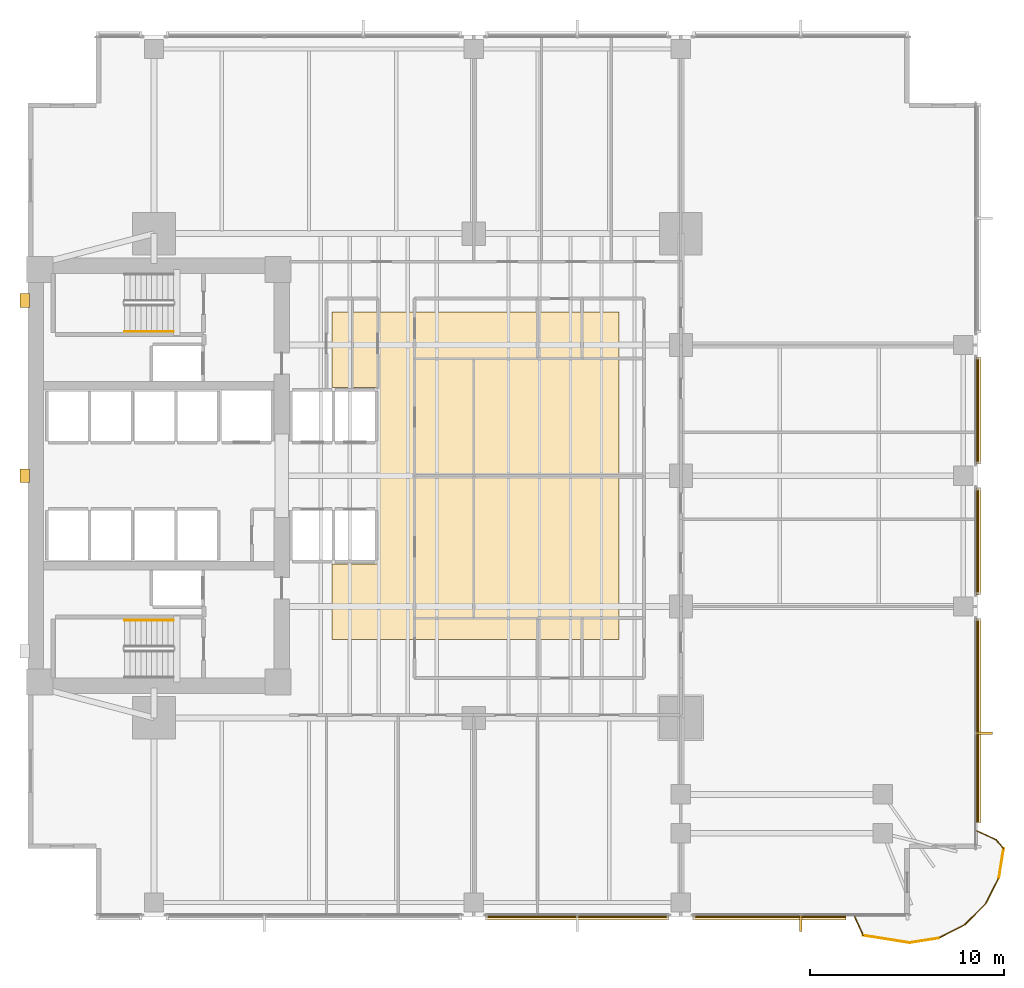
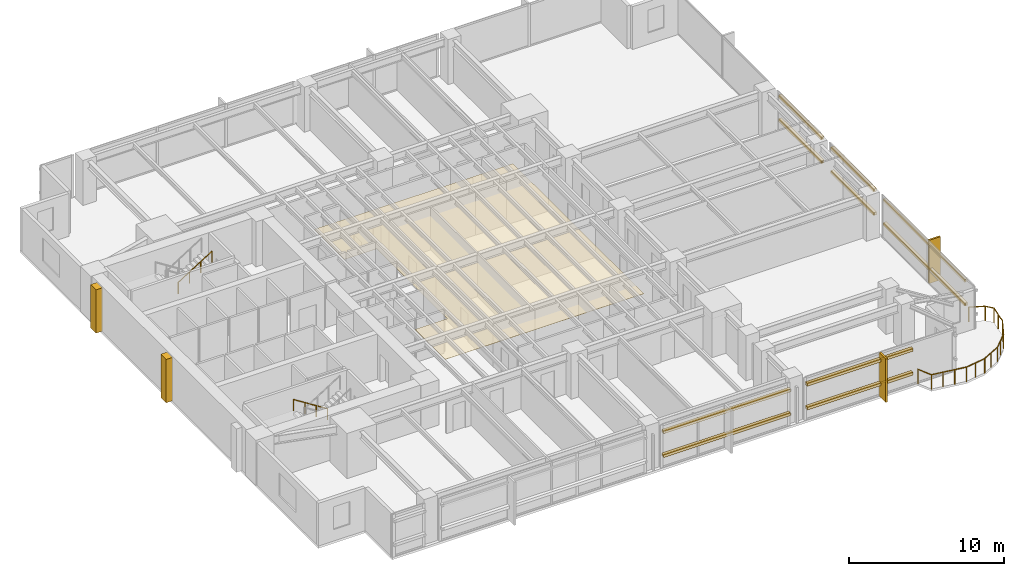
# One storey, part 13 of 15: 15 coverings, 11 railings, 10 shading devices.
"""IFC4 building model written with IfcOpenShell, lengths in metres."""

from ifc_helpers import new_model, si_unit, direction, frame, origin, origin_2d, place, context, subcontext, project, spatial, polyline, rectangle, circle, outline, extrude, material, layer, layer_set, material_profile, profile_set, type_object, element, save


model = new_model("IFC4")

# Units and contexts
model_context = context("Model", 3, precision=1e-05, world=origin(), true_north=direction((0.0, 1.0)))
body_context = subcontext(model_context, "Body", "Model", "MODEL_VIEW")
ifc_project = project(units=[si_unit("LENGTHUNIT", "METRE"), si_unit("AREAUNIT", "SQUARE_METRE"), si_unit("VOLUMEUNIT", "CUBIC_METRE"), si_unit("PLANEANGLEUNIT", "RADIAN"), si_unit("MASSUNIT", "GRAM", prefix="KILO")], contexts=[model_context])

# Site, building, storey
site_placement = place(None, origin())
site = spatial("IfcSite", under=ifc_project, at=site_placement, CompositionType="ELEMENT")
building_placement = place(site_placement, origin())
building = spatial("IfcBuilding", under=site, at=building_placement, Name="Kinhvarn Gate Tower", CompositionType="ELEMENT")
storey_placement = place(building_placement, frame((0.0, 0.0, 78.85009765625)))
storey = spatial("IfcBuildingStorey", under=building, at=storey_placement, Name="L20", CompositionType="ELEMENT", Elevation=78.85009765625)

# Coverings
ifc_material_1 = material(Name="Fired architectural terracotta", Category="masonry")
ifc_layer_1 = layer(ifc_material_1, 0.239990234375)
ifc_layer_set_1 = layer_set([ifc_layer_1], Name="Fired architectural terracotta")
covering_type_1 = type_object("IfcCoveringType", Name="COV-BAG-220", PredefinedType="CLADDING", material=ifc_layer_set_1)
for number, where, name in (
    (1, (0.0, 0.0, 0.93994140625), "Terracotta Horizontal Sunscreen Band TBG-220 (L20)"),
    (2, (0.0, 0.0, 2.809814453125), "Terracotta Horizontal Sunscreen Band TBG-220 (L20)"),
):
    element("IfcCovering", number, at=place(storey_placement, frame(where)), inside=storey, type_object=covering_type_1, Name=name, PredefinedType="CLADDING", context=body_context, shape_type="SweptSolid", body=[
        extrude(outline(polyline([(28.1201171875, 2.56005859375), (37.580078125, 2.56005859375), (37.580078125, 2.320068359375), (28.1201171875, 2.320068359375), (28.1201171875, 2.56005859375)])), origin(), (0.0, 0.0, 1.0), 0.219970703125),
    ])
for number, where, name in (
    (3, (0.0, 0.0, 0.93994140625), "Terracotta Horizontal Sunscreen Band TBG-220 (L20)"),
    (4, (0.0, 0.0, 2.809814453125), "Terracotta Horizontal Sunscreen Band TBG-220 (L20)"),
):
    element("IfcCovering", number, at=place(storey_placement, frame(where)), inside=storey, type_object=covering_type_1, Name=name, PredefinedType="CLADDING", context=body_context, shape_type="SweptSolid", body=[
        extrude(outline(polyline([(38.820068359375, 2.56005859375), (46.712890625, 2.56005859375), (46.712890625, 2.320068359375), (38.820068359375, 2.320068359375), (38.820068359375, 2.56005859375)])), origin(), (0.0, 0.0, 1.0), 0.219970703125),
    ])
for number, where, name in (
    (5, (0.0, 0.0, 0.93994140625), "Terracotta Horizontal Sunscreen Band TBG-220 (L20)"),
    (6, (0.0, 0.0, 2.809814453125), "Terracotta Horizontal Sunscreen Band TBG-220 (L20)"),
):
    element("IfcCovering", number, at=place(storey_placement, frame(where)), inside=storey, type_object=covering_type_1, Name=name, PredefinedType="CLADDING", context=body_context, shape_type="SweptSolid", body=[
        extrude(outline(polyline([(53.43994140625, 7.361083984375), (53.43994140625, 17.8798828125), (53.679931640625, 17.8798828125), (53.679931640625, 7.361083984375), (53.43994140625, 7.361083984375)])), origin(), (0.0, 0.0, 1.0), 0.219970703125),
    ])
for number, where, name in (
    (7, (0.0, 0.0, 0.93994140625), "Terracotta Horizontal Sunscreen Band TBG-220 (L20)"),
    (8, (0.0, 0.0, 2.809814453125), "Terracotta Horizontal Sunscreen Band TBG-220 (L20)"),
):
    element("IfcCovering", number, at=place(storey_placement, frame(where)), inside=storey, type_object=covering_type_1, Name=name, PredefinedType="CLADDING", context=body_context, shape_type="SweptSolid", body=[
        extrude(outline(polyline([(53.43994140625, 19.1201171875), (53.43994140625, 24.6298828125), (53.679931640625, 24.6298828125), (53.679931640625, 19.1201171875), (53.43994140625, 19.1201171875)])), origin(), (0.0, 0.0, 1.0), 0.219970703125),
    ])
for number, where, name in (
    (9, (0.0, 0.0, 0.93994140625), "Terracotta Horizontal Sunscreen Band TBG-220 (L20)"),
    (10, (0.0, 0.0, 2.809814453125), "Terracotta Horizontal Sunscreen Band TBG-220 (L20)"),
):
    element("IfcCovering", number, at=place(storey_placement, frame(where)), inside=storey, type_object=covering_type_1, Name=name, PredefinedType="CLADDING", context=body_context, shape_type="SweptSolid", body=[
        extrude(outline(polyline([(53.43994140625, 25.8701171875), (53.43994140625, 31.3798828125), (53.679931640625, 31.3798828125), (53.679931640625, 25.8701171875), (53.43994140625, 25.8701171875)])), origin(), (0.0, 0.0, 1.0), 0.219970703125),
    ])
ifc_material_2 = material(Name="Mineral-fibre acoustic ceiling tile")
ifc_layer_2 = layer(ifc_material_2, 0.02001953125)
ifc_layer_set_2 = layer_set([ifc_layer_2], Name="Mineral-fibre acoustic ceiling tile")
covering_type_2 = type_object("IfcCoveringType", Name="COV-CEIL-20", PredefinedType="CEILING", material=ifc_layer_set_2)
covering_1_placement = place(storey_placement, frame((0.0, 0.0, 2.64990234375)))
element("IfcCovering", 11, at=covering_1_placement, inside=storey, type_object=covering_type_2, Name="Suspended Acoustic Ceiling Tile (L20-1)", PredefinedType="CEILING", context=body_context, shape_type="SweptSolid", body=[
    extrude(outline(polyline([(35.0, 33.699951171875), (35.0, 16.800048828125), (20.199951171875, 16.800048828125), (20.199951171875, 20.699951171875), (22.60009765625, 20.699951171875), (22.60009765625, 29.800048828125), (20.199951171875, 29.800048828125), (20.199951171875, 33.699951171875), (35.0, 33.699951171875)])), origin(), (0.0, 0.0, 1.0), 0.02001953125),
])
ifc_layer_3 = layer(ifc_material_1, 0.139892578125)
ifc_layer_set_3 = layer_set([ifc_layer_3], Name="Fired architectural terracotta")
covering_type_3 = type_object("IfcCoveringType", Name="COV-FIN-850", PredefinedType="CLADDING", material=ifc_layer_set_3)
covering_2_placement = place(storey_placement, frame((0.0, 0.0, -0.02001953125)))
element("IfcCovering", 12, at=covering_2_placement, inside=storey, type_object=covering_type_3, Name="Vertical Terracotta Expressive Fin TFN-850 (L20)", PredefinedType="CLADDING", context=body_context, shape_type="SweptSolid", body=[
    extrude(outline(polyline([(44.320068359375, 2.570068359375), (44.4599609375, 2.570068359375), (44.4599609375, 1.719970703125), (44.320068359375, 1.719970703125), (44.320068359375, 2.570068359375)])), origin(), (0.0, 0.0, 1.0), 3.409912109375),
])
covering_3_placement = place(storey_placement, frame((0.0, 0.0, -0.02001953125)))
element("IfcCovering", 13, at=covering_3_placement, inside=storey, type_object=covering_type_3, Name="Vertical Terracotta Expressive Fin TFN-850 (L20)", PredefinedType="CLADDING", context=body_context, shape_type="SweptSolid", body=[
    extrude(outline(polyline([(53.429931640625, 11.889892578125), (53.429931640625, 12.030029296875), (54.280029296875, 12.030029296875), (54.280029296875, 11.889892578125), (53.429931640625, 11.889892578125)])), origin(), (0.0, 0.0, 1.0), 3.409912109375),
])
ifc_material_3 = material(Name="Precast white architectural concrete C40/50", Category="concrete")
ifc_layer_4 = layer(ifc_material_3, 0.47998046875)
ifc_layer_set_4 = layer_set([ifc_layer_4], Name="Precast white architectural concrete C40/50")
covering_type_4 = type_object("IfcCoveringType", Name="COV-RIB-450", PredefinedType="CLADDING", material=ifc_layer_set_4)
covering_4_placement = place(storey_placement, frame((0.0, 0.0, -0.02001953125)))
element("IfcCovering", 14, at=covering_4_placement, inside=storey, type_object=covering_type_4, Name="West Core Sculptural Concrete Relief Rib CRB-450 (L20)", PredefinedType="CLADDING", context=body_context, shape_type="SweptSolid", body=[
    extrude(outline(polyline([(4.080078125, 24.89990234375), (4.56005859375, 24.89990234375), (4.56005859375, 25.60009765625), (4.080078125, 25.60009765625), (4.080078125, 24.89990234375)])), origin(), (0.0, 0.0, 1.0), 3.409912109375),
])
covering_5_placement = place(storey_placement, frame((0.0, 0.0, -0.02001953125)))
element("IfcCovering", 15, at=covering_5_placement, inside=storey, type_object=covering_type_4, Name="West Core Sculptural Concrete Relief Rib CRB-450 (L20)", PredefinedType="CLADDING", context=body_context, shape_type="SweptSolid", body=[
    extrude(outline(polyline([(4.080078125, 33.949951171875), (4.56005859375, 33.949951171875), (4.56005859375, 34.64990234375), (4.080078125, 34.64990234375), (4.080078125, 33.949951171875)])), origin(), (0.0, 0.0, 1.0), 3.409912109375),
])

# Railings
ifc_material_4 = material(Name="Clear low-e double glazing", Category="glass")
railing_type_1 = type_object("IfcRailingType", Name="RL-BAL-1150", PredefinedType="BALUSTRADE", material=ifc_material_4)
railing_1_placement = place(storey_placement, frame((47.1630859375, 2.5, 0.0)))
element("IfcRailing", 16, at=railing_1_placement, inside=storey, type_object=railing_type_1, Name="S-Carve Balcony Guardrail Seg 1 (L20)", PredefinedType="BALUSTRADE", context=body_context, shape_type="SweptSolid", body=[
    extrude(circle(Radius=0.02392578125, at=origin_2d()), frame((0.0, 0.0, 1.1259765625), z_axis=(0.418554051126, -0.908191888472, 0.0), x_axis=(0.908191888472, 0.418554051126, 0.0)), (0.0, 0.0, 1.0), 1.074951171875),
    extrude(circle(Radius=0.02099609375, at=origin_2d()), origin(), (0.0, 0.0, 1.0), 1.101806640625),
    extrude(circle(Radius=0.02099609375, at=origin_2d()), frame((0.449951171875, -0.976318359375, 0.0)), (0.0, 0.0, 1.0), 1.101806640625),
])
railing_2_placement = place(storey_placement, frame((47.613037109375, 1.523681640625, 0.0)))
element("IfcRailing", 17, at=railing_2_placement, inside=storey, type_object=railing_type_1, Name="S-Carve Balcony Guardrail Seg 2 (L20)", PredefinedType="BALUSTRADE", context=body_context, shape_type="SweptSolid", body=[
    extrude(circle(Radius=0.02392578125, at=origin_2d()), frame((0.0, 0.0, 1.1259765625), z_axis=(0.987587073428, -0.15707250682, 0.0), x_axis=(0.15707250682, 0.987587073428, 0.0)), (0.0, 0.0, 1.0), 2.4169921875),
    extrude(circle(Radius=0.02099609375, at=origin_2d()), origin(), (0.0, 0.0, 1.0), 1.101806640625),
    extrude(circle(Radius=0.02099609375, at=origin_2d()), frame((0.795654296875, -0.12646484375, 0.0)), (0.0, 0.0, 1.0), 1.101806640625),
    extrude(circle(Radius=0.02099609375, at=origin_2d()), frame((1.59130859375, -0.253173828125, 0.0)), (0.0, 0.0, 1.0), 1.101806640625),
    extrude(circle(Radius=0.02099609375, at=origin_2d()), frame((2.386962890625, -0.379638671875, 0.0)), (0.0, 0.0, 1.0), 1.101806640625),
])
railing_3_placement = place(storey_placement, frame((50.0, 1.14404296875, 0.0)))
element("IfcRailing", 18, at=railing_3_placement, inside=storey, type_object=railing_type_1, Name="S-Carve Balcony Guardrail Seg 3 (L20)", PredefinedType="BALUSTRADE", context=body_context, shape_type="SweptSolid", body=[
    extrude(circle(Radius=0.02392578125, at=origin_2d()), frame((0.0, 0.0, 1.1259765625), z_axis=(0.987699034501, 0.15636693143, 0.0), x_axis=(-0.15636693143, 0.987699034501, 0.0)), (0.0, 0.0, 1.0), 1.519287109375),
    extrude(circle(Radius=0.02099609375, at=origin_2d()), origin(), (0.0, 0.0, 1.0), 1.101806640625),
    extrude(circle(Radius=0.02099609375, at=origin_2d()), frame((0.750244140625, 0.11865234375, 0.0)), (0.0, 0.0, 1.0), 1.101806640625),
    extrude(circle(Radius=0.02099609375, at=origin_2d()), frame((1.50048828125, 0.237548828125, 0.0)), (0.0, 0.0, 1.0), 1.101806640625),
])
railing_4_placement = place(storey_placement, frame((51.50048828125, 1.381591796875, 0.0)))
element("IfcRailing", 19, at=railing_4_placement, inside=storey, type_object=railing_type_1, Name="S-Carve Balcony Guardrail Seg 4 (L20)", PredefinedType="BALUSTRADE", context=body_context, shape_type="SweptSolid", body=[
    extrude(circle(Radius=0.02392578125, at=origin_2d()), frame((0.0, 0.0, 1.1259765625), z_axis=(0.891027233573, 0.453949852992, 0.0), x_axis=(-0.453949852992, 0.891027233573, 0.0)), (0.0, 0.0, 1.0), 1.519287109375),
    extrude(circle(Radius=0.02099609375, at=origin_2d()), origin(), (0.0, 0.0, 1.0), 1.101806640625),
    extrude(circle(Radius=0.02099609375, at=origin_2d()), frame((0.6767578125, 0.3447265625, 0.0)), (0.0, 0.0, 1.0), 1.101806640625),
    extrude(circle(Radius=0.02099609375, at=origin_2d()), frame((1.353759765625, 0.689697265625, 0.0)), (0.0, 0.0, 1.0), 1.101806640625),
])
railing_5_placement = place(storey_placement, frame((52.854248046875, 2.0712890625, 0.0)))
element("IfcRailing", 20, at=railing_5_placement, inside=storey, type_object=railing_type_1, Name="S-Carve Balcony Guardrail Seg 5 (L20)", PredefinedType="BALUSTRADE", context=body_context, shape_type="SweptSolid", body=[
    extrude(circle(Radius=0.02392578125, at=origin_2d()), frame((0.0, 0.0, 1.1259765625), z_axis=(0.707106781187, 0.707106781187, 0.0), x_axis=(-0.707106781187, 0.707106781187, 0.0)), (0.0, 0.0, 1.0), 1.51953125),
    extrude(circle(Radius=0.02099609375, at=origin_2d()), origin(), (0.0, 0.0, 1.0), 1.101806640625),
    extrude(circle(Radius=0.02099609375, at=origin_2d()), frame((0.537109375, 0.537109375, 0.0)), (0.0, 0.0, 1.0), 1.101806640625),
    extrude(circle(Radius=0.02099609375, at=origin_2d()), frame((1.074462890625, 1.074462890625, 0.0)), (0.0, 0.0, 1.0), 1.101806640625),
])
railing_6_placement = place(storey_placement, frame((53.9287109375, 3.145751953125, 0.0)))
element("IfcRailing", 21, at=railing_6_placement, inside=storey, type_object=railing_type_1, Name="S-Carve Balcony Guardrail Seg 6 (L20)", PredefinedType="BALUSTRADE", context=body_context, shape_type="SweptSolid", body=[
    extrude(circle(Radius=0.02392578125, at=origin_2d()), frame((0.0, 0.0, 1.1259765625), z_axis=(0.453949852992, 0.891027233573, 0.0), x_axis=(-0.891027233573, 0.453949852992, 0.0)), (0.0, 0.0, 1.0), 1.519287109375),
    extrude(circle(Radius=0.02099609375, at=origin_2d()), origin(), (0.0, 0.0, 1.0), 1.101806640625),
    extrude(circle(Radius=0.02099609375, at=origin_2d()), frame((0.3447265625, 0.6767578125, 0.0)), (0.0, 0.0, 1.0), 1.101806640625),
    extrude(circle(Radius=0.02099609375, at=origin_2d()), frame((0.689697265625, 1.353759765625, 0.0)), (0.0, 0.0, 1.0), 1.101806640625),
])
railing_7_placement = place(storey_placement, frame((54.618408203125, 4.49951171875, 0.0)))
element("IfcRailing", 22, at=railing_7_placement, inside=storey, type_object=railing_type_1, Name="S-Carve Balcony Guardrail Seg 7 (L20)", PredefinedType="BALUSTRADE", context=body_context, shape_type="SweptSolid", body=[
    extrude(circle(Radius=0.02392578125, at=origin_2d()), frame((0.0, 0.0, 1.1259765625), z_axis=(0.15636693143, 0.987699034501, 0.0), x_axis=(-0.987699034501, 0.15636693143, 0.0)), (0.0, 0.0, 1.0), 1.519287109375),
    extrude(circle(Radius=0.02099609375, at=origin_2d()), origin(), (0.0, 0.0, 1.0), 1.101806640625),
    extrude(circle(Radius=0.02099609375, at=origin_2d()), frame((0.11865234375, 0.750244140625, 0.0)), (0.0, 0.0, 1.0), 1.101806640625),
    extrude(circle(Radius=0.02099609375, at=origin_2d()), frame((0.237548828125, 1.50048828125, 0.0)), (0.0, 0.0, 1.0), 1.101806640625),
])
railing_8_placement = place(storey_placement, frame((54.85595703125, 6.0, 0.0)))
element("IfcRailing", 23, at=railing_8_placement, inside=storey, type_object=railing_type_1, Name="S-Carve Balcony Guardrail Seg 8 (L20)", PredefinedType="BALUSTRADE", context=body_context, shape_type="SweptSolid", body=[
    extrude(circle(Radius=0.02392578125, at=origin_2d()), frame((0.0, 0.0, 1.1259765625), z_axis=(-0.635750243571, 0.771894829494, 0.0), x_axis=(-0.771894829494, -0.635750243571, 0.0)), (0.0, 0.0, 1.0), 0.59716796875),
    extrude(circle(Radius=0.02099609375, at=origin_2d()), origin(), (0.0, 0.0, 1.0), 1.101806640625),
    extrude(circle(Radius=0.02099609375, at=origin_2d()), frame((-0.379638671875, 0.4609375, 0.0)), (0.0, 0.0, 1.0), 1.101806640625),
])
railing_9_placement = place(storey_placement, frame((54.476318359375, 6.4609375, 0.0)))
element("IfcRailing", 24, at=railing_9_placement, inside=storey, type_object=railing_type_1, Name="S-Carve Balcony Guardrail Seg 9 (L20)", PredefinedType="BALUSTRADE", context=body_context, shape_type="SweptSolid", body=[
    extrude(circle(Radius=0.02392578125, at=origin_2d()), frame((0.0, 0.0, 1.1259765625), z_axis=(-0.908191888472, 0.418554051126, 0.0), x_axis=(-0.418554051126, -0.908191888472, 0.0)), (0.0, 0.0, 1.0), 1.074951171875),
    extrude(circle(Radius=0.02099609375, at=origin_2d()), origin(), (0.0, 0.0, 1.0), 1.101806640625),
    extrude(circle(Radius=0.02099609375, at=origin_2d()), frame((-0.976318359375, 0.449951171875, 0.0)), (0.0, 0.0, 1.0), 1.101806640625),
])
ifc_material_5 = material(Name="Steel S355", Category="steel")
railing_type_2 = type_object("IfcRailingType", Name="RL-ST-HND", PredefinedType="HANDRAIL", material=ifc_material_5)
railing_10_placement = place(storey_placement, frame((12.0, 17.800048828125, 0.177490234375)))
element("IfcRailing", 25, at=railing_10_placement, inside=storey, type_object=railing_type_2, Name="L20 ST1 stair handrail 1", PredefinedType="HANDRAIL", context=body_context, shape_type="SweptSolid", body=[
    extrude(circle(Radius=0.02392578125, at=origin_2d()), frame((0.0, 0.0, 0.8759765625), z_axis=(-0.84460694969, 0.0, 0.535386869969), x_axis=(0.0, -1.0, 0.0)), (0.0, 0.0, 1.0), 2.983642578125),
    extrude(circle(Radius=0.02099609375, at=origin_2d()), origin(), (0.0, 0.0, 1.0), 0.851806640625),
    extrude(circle(Radius=0.02099609375, at=origin_2d()), frame((-0.840087890625, 0.0, 0.532470703125)), (0.0, 0.0, 1.0), 0.851806640625),
    extrude(circle(Radius=0.02099609375, at=origin_2d()), frame((-1.679931640625, 0.0, 1.06494140625)), (0.0, 0.0, 1.0), 0.851806640625),
    extrude(circle(Radius=0.02099609375, at=origin_2d()), frame((-2.52001953125, 0.0, 1.597412109375)), (0.0, 0.0, 1.0), 0.851806640625),
])
railing_11_placement = place(storey_placement, frame((9.47998046875, 32.699951171875, 1.952392578125)))
element("IfcRailing", 26, at=railing_11_placement, inside=storey, type_object=railing_type_2, Name="L20 ST2 stair handrail 2", PredefinedType="HANDRAIL", context=body_context, shape_type="SweptSolid", body=[
    extrude(circle(Radius=0.02392578125, at=origin_2d()), frame((0.0, 0.0, 0.8759765625), z_axis=(0.84460694969, 0.0, 0.535386869969), x_axis=(0.0, 1.0, 0.0)), (0.0, 0.0, 1.0), 2.983642578125),
    extrude(circle(Radius=0.02099609375, at=origin_2d()), origin(), (0.0, 0.0, 1.0), 0.851806640625),
    extrude(circle(Radius=0.02099609375, at=origin_2d()), frame((0.840087890625, 0.0, 0.532470703125)), (0.0, 0.0, 1.0), 0.851806640625),
    extrude(circle(Radius=0.02099609375, at=origin_2d()), frame((1.679931640625, 0.0, 1.06494140625)), (0.0, 0.0, 1.0), 0.851806640625),
    extrude(circle(Radius=0.02099609375, at=origin_2d()), frame((2.52001953125, 0.0, 1.597412109375)), (0.0, 0.0, 1.0), 0.851806640625),
])

# Shading devices
ifc_material_profile = material_profile(ifc_material_1, rectangle(XDim=0.06005859375, YDim=0.139892578125, at=origin_2d()), Name="TC 60x140")
ifc_profile_set = profile_set([ifc_material_profile], Name="Fired architectural terracotta")
shading_device_type = type_object("IfcShadingDeviceType", Name="SHD-BAG-180", PredefinedType="USERDEFINED", material=ifc_profile_set)
for number, where, z_axis, x_axis, name in (
    (27, (28.1201171875, 2.485107421875, 1.0498046875), (1.0, 0.0, 0.0), (0.0, 1.0, 0.0), "Fired Terracotta Baguette Screen Rod 60x140 mm (L20)"),
    (28, (28.1201171875, 2.485107421875, 2.919921875), (1.0, 0.0, 0.0), (0.0, 1.0, 0.0), "Fired Terracotta Baguette Screen Rod 60x140 mm (L20)"),
):
    element("IfcShadingDevice", number, at=place(storey_placement, frame(where, z_axis=z_axis, x_axis=x_axis)), inside=storey, type_object=shading_device_type, Name=name, ObjectType="BAGUETTE", PredefinedType="USERDEFINED", context=body_context, shape_type="SweptSolid", body=[
        extrude(rectangle(XDim=0.06005859375, YDim=0.139892578125, at=origin_2d()), origin(), (0.0, 0.0, 1.0), 9.4599609375),
    ])
for number, where, z_axis, x_axis, name in (
    (29, (38.820068359375, 2.485107421875, 1.0498046875), (1.0, 0.0, 0.0), (0.0, 1.0, 0.0), "Fired Terracotta Baguette Screen Rod 60x140 mm (L20)"),
    (30, (38.820068359375, 2.485107421875, 2.919921875), (1.0, 0.0, 0.0), (0.0, 1.0, 0.0), "Fired Terracotta Baguette Screen Rod 60x140 mm (L20)"),
):
    element("IfcShadingDevice", number, at=place(storey_placement, frame(where, z_axis=z_axis, x_axis=x_axis)), inside=storey, type_object=shading_device_type, Name=name, ObjectType="BAGUETTE", PredefinedType="USERDEFINED", context=body_context, shape_type="SweptSolid", body=[
        extrude(rectangle(XDim=0.06005859375, YDim=0.139892578125, at=origin_2d()), origin(), (0.0, 0.0, 1.0), 7.892822265625),
    ])
for number, where, z_axis, x_axis, name in (
    (31, (53.514892578125, 7.361083984375, 1.0498046875), (0.0, 1.0, 0.0), (-1.0, 0.0, 0.0), "Fired Terracotta Baguette Screen Rod 60x140 mm (L20)"),
    (32, (53.514892578125, 7.361083984375, 2.919921875), (0.0, 1.0, 0.0), (-1.0, 0.0, 0.0), "Fired Terracotta Baguette Screen Rod 60x140 mm (L20)"),
):
    element("IfcShadingDevice", number, at=place(storey_placement, frame(where, z_axis=z_axis, x_axis=x_axis)), inside=storey, type_object=shading_device_type, Name=name, ObjectType="BAGUETTE", PredefinedType="USERDEFINED", context=body_context, shape_type="SweptSolid", body=[
        extrude(rectangle(XDim=0.06005859375, YDim=0.139892578125, at=origin_2d()), origin(), (0.0, 0.0, 1.0), 10.518798828125),
    ])
for number, where, z_axis, x_axis, name in (
    (33, (53.514892578125, 19.1201171875, 1.0498046875), (0.0, 1.0, 0.0), (-1.0, 0.0, 0.0), "Fired Terracotta Baguette Screen Rod 60x140 mm (L20)"),
    (34, (53.514892578125, 19.1201171875, 2.919921875), (0.0, 1.0, 0.0), (-1.0, 0.0, 0.0), "Fired Terracotta Baguette Screen Rod 60x140 mm (L20)"),
    (35, (53.514892578125, 25.8701171875, 1.0498046875), (0.0, 1.0, 0.0), (-1.0, 0.0, 0.0), "Fired Terracotta Baguette Screen Rod 60x140 mm (L20)"),
    (36, (53.514892578125, 25.8701171875, 2.919921875), (0.0, 1.0, 0.0), (-1.0, 0.0, 0.0), "Fired Terracotta Baguette Screen Rod 60x140 mm (L20)"),
):
    element("IfcShadingDevice", number, at=place(storey_placement, frame(where, z_axis=z_axis, x_axis=x_axis)), inside=storey, type_object=shading_device_type, Name=name, ObjectType="BAGUETTE", PredefinedType="USERDEFINED", context=body_context, shape_type="SweptSolid", body=[
        extrude(rectangle(XDim=0.06005859375, YDim=0.139892578125, at=origin_2d()), origin(), (0.0, 0.0, 1.0), 5.509765625),
    ])

save(model, "model.ifc")
